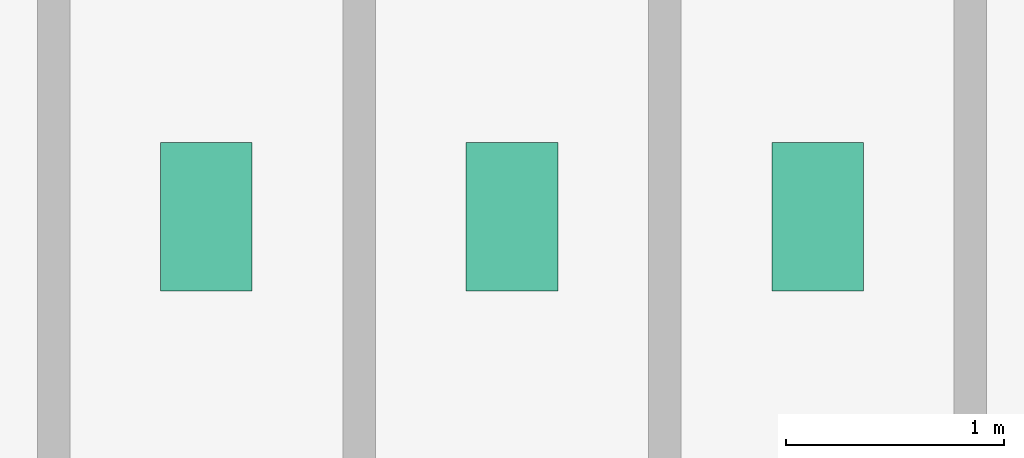
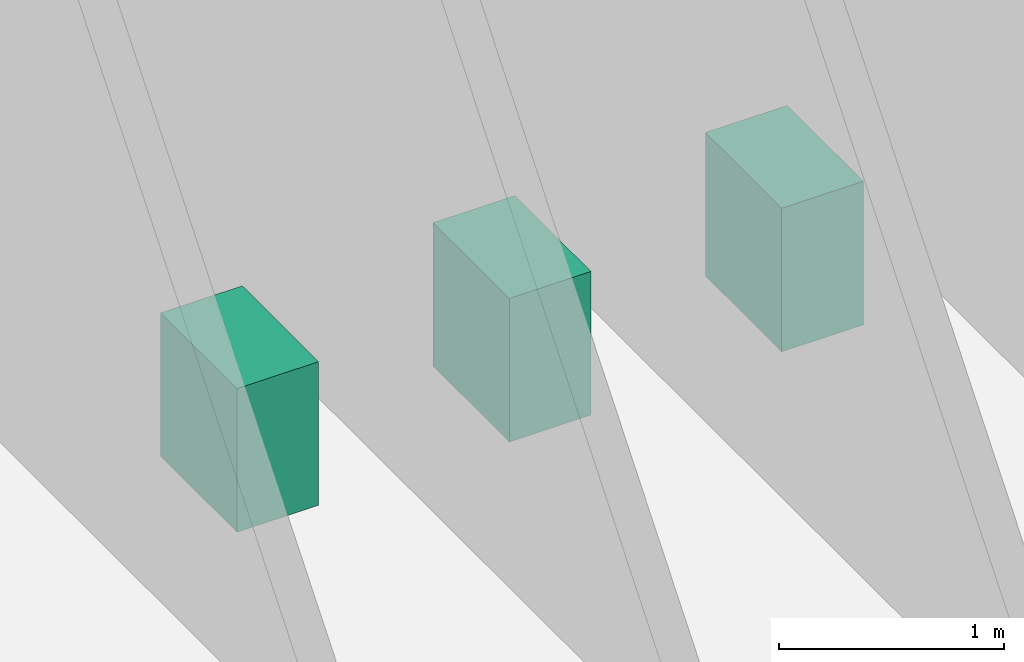
# One storey, part 40 of 40: 3 sanitary terminals.
"""IFC4 building model written with IfcOpenShell, lengths in metres."""

from ifc_helpers import new_model, si_unit, derived_unit, direction, frame, origin, origin_2d, place, context, subcontext, project, spatial, rectangle, extrude, source, transform, mapped, material, type_object, element, save


model = new_model("IFC4")

# Units and contexts
model_context = context("Model", 3, precision=1e-05, world=origin(), true_north=direction((0.0, 1.0)))
body_context = subcontext(model_context, "Body", "Model", "MODEL_VIEW")
ifc_project = project(units=[si_unit("LENGTHUNIT", "METRE"), si_unit("AREAUNIT", "SQUARE_METRE"), si_unit("VOLUMEUNIT", "CUBIC_METRE"), si_unit("PLANEANGLEUNIT", "RADIAN"), si_unit("MASSUNIT", "GRAM", prefix="KILO"), derived_unit("THERMALTRANSMITTANCEUNIT", [(si_unit("POWERUNIT", "WATT"), 1), (si_unit("LENGTHUNIT", "METRE"), -2), (si_unit("THERMODYNAMICTEMPERATUREUNIT", "KELVIN"), -1)])], contexts=[model_context])

# Site, building, storey
site_placement = place(None, origin())
site = spatial("IfcSite", under=ifc_project, at=site_placement, CompositionType="ELEMENT")
building_placement = place(site_placement, origin())
building = spatial("IfcBuilding", under=site, at=building_placement, Name="Skarnbrae Concourse Arena and Tower", CompositionType="ELEMENT")
storey_placement = place(building_placement, frame((0.0, 0.0, 6.0)))
storey = spatial("IfcBuildingStorey", under=building, at=storey_placement, Name="L01", CompositionType="ELEMENT", Elevation=6.0)

# Sanitary terminals
ifc_material = material(Name="Vitreous china sanitaryware", Category="other")
sanitary_terminal_type = type_object("IfcSanitaryTerminalType", Name="SAN-WC-VITREOUS", PredefinedType="TOILETPAN", material=ifc_material)
shared_shape = source(origin(), body_context, "Body", "SweptSolid", [
    extrude(rectangle(XDim=0.419921875, YDim=0.679931640625, at=origin_2d()), origin(), (0.0, 0.0, 1.0), 0.780029296875),
])
for number, where, z_axis, x_axis, name in (
    (1, (44.199951171875, 9.0, 0.0), (0.0, 0.0, 1.0), (1.0, 0.0, 0.0), "L01 Vitreous china WC fixture 1"),
    (2, (45.60009765625, 9.0, 0.0), (0.0, 0.0, 1.0), (1.0, 0.0, 0.0), "L01 Vitreous china WC fixture 2"),
    (3, (47.0, 9.0, 0.0), (0.0, 0.0, 1.0), (1.0, 0.0, 0.0), "L01 Vitreous china WC fixture 3"),
):
    element("IfcSanitaryTerminal", number, at=place(storey_placement, frame(where, z_axis=z_axis, x_axis=x_axis)), inside=storey, type_object=sanitary_terminal_type, Name=name, PredefinedType="TOILETPAN", context=body_context, shape_type="MappedRepresentation", body=[
        mapped(shared_shape, transform((0.0, 0.0, 0.0))),
    ])

save(model, "model.ifc")
